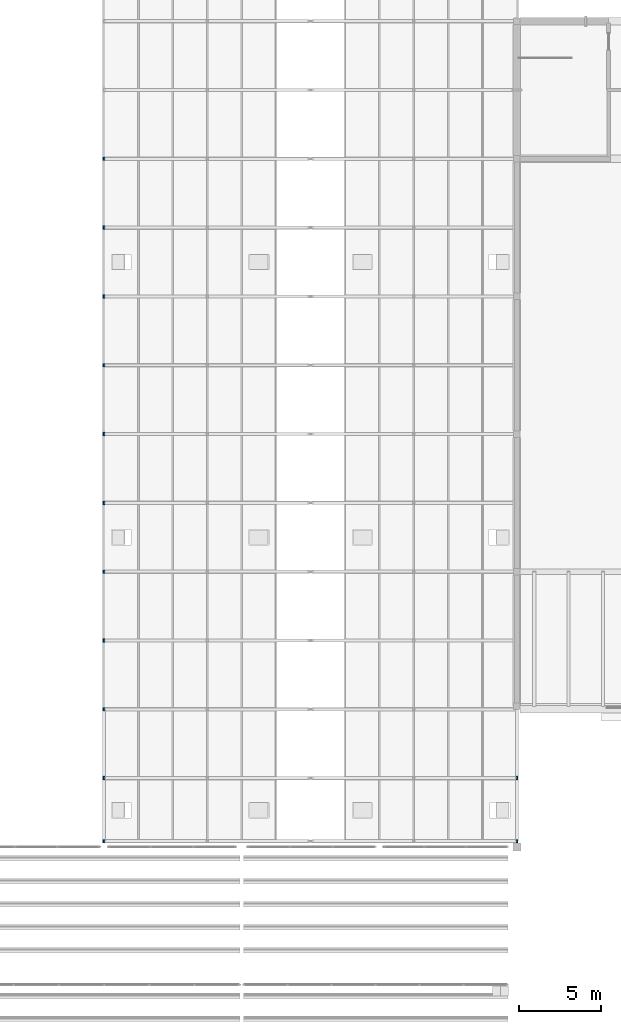
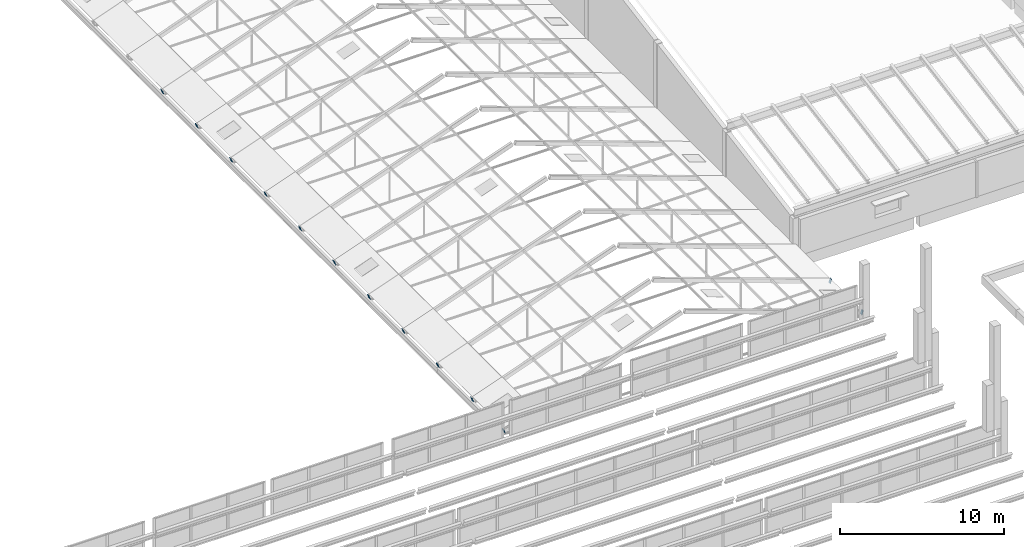
# One storey, part 107 of 116: 13 discrete accessories.
"""IFC4 building model written with IfcOpenShell, lengths in metres."""

from ifc_helpers import new_model, si_unit, direction, frame, origin, origin_2d, place, context, subcontext, project, spatial, rectangle, extrude, material, material_profile, profile_set, type_object, element, save


model = new_model("IFC4")

# Units and contexts
model_context = context("Model", 3, precision=1e-05, world=origin(), true_north=direction((0.0, 1.0)))
body_context = subcontext(model_context, "Body", "Model", "MODEL_VIEW")
ifc_project = project(units=[si_unit("LENGTHUNIT", "METRE"), si_unit("AREAUNIT", "SQUARE_METRE"), si_unit("VOLUMEUNIT", "CUBIC_METRE"), si_unit("PLANEANGLEUNIT", "RADIAN"), si_unit("MASSUNIT", "GRAM", prefix="KILO")], contexts=[model_context])

# Site, building, storey
site_placement = place(None, origin())
site = spatial("IfcSite", under=ifc_project, at=site_placement, CompositionType="ELEMENT")
building_placement = place(site_placement, origin())
building = spatial("IfcBuilding", under=site, at=building_placement, Name="Fescue Hill Polytechnic", CompositionType="ELEMENT")
storey_placement = place(building_placement, frame((0.0, 0.0, 13.5)))
storey = spatial("IfcBuildingStorey", under=building, at=storey_placement, Name="L03", CompositionType="ELEMENT", Elevation=13.5)

# Discrete accessories
ifc_material = material(Name="Steel 350W (350 MPa)", Category="steel")
ifc_material_profile = material_profile(ifc_material, rectangle(XDim=0.203125, YDim=0.3046875, at=origin_2d()), Name="Winter garden rafter end plate 12")
ifc_profile_set = profile_set([ifc_material_profile], Name="Steel 350W (350 MPa)")
discrete_accessory_type = type_object("IfcDiscreteAccessoryType", Name="Winter garden rafter end plate 12", PredefinedType="BRACKET", material=ifc_profile_set)
for number, where, z_axis, x_axis, name in (
    (1, (92.388671875, 50.75, 0.57470703125), (0.937994498829, 0.0, 0.346650140872), (0.0, 1.0, 0.0), "Winter garden rafter W1 eaves end plate"),
    (2, (117.611328125, 50.75, 0.57470703125), (-0.937994498829, 0.0, 0.346650140872), (0.0, -1.0, 0.0), "Winter garden rafter E1 eaves end plate"),
    (3, (92.388671875, 54.60009765625, 0.57470703125), (0.937994498829, 0.0, 0.346650140872), (0.0, 1.0, 0.0), "Winter garden rafter W2 eaves end plate"),
    (4, (117.611328125, 54.60009765625, 0.57470703125), (-0.937994498829, 0.0, 0.346650140872), (0.0, -1.0, 0.0), "Winter garden rafter E2 eaves end plate"),
    (5, (92.388671875, 58.800048828125, 0.57470703125), (0.937994498829, 0.0, 0.346650140872), (0.0, 1.0, 0.0), "Winter garden rafter W3 eaves end plate"),
    (6, (92.388671875, 63.0, 0.57470703125), (0.937994498829, 0.0, 0.346650140872), (0.0, 1.0, 0.0), "Winter garden rafter W4 eaves end plate"),
    (7, (92.388671875, 67.199951171875, 0.57470703125), (0.937994498829, 0.0, 0.346650140872), (0.0, 1.0, 0.0), "Winter garden rafter W5 eaves end plate"),
    (8, (92.388671875, 71.39990234375, 0.57470703125), (0.937994498829, 0.0, 0.346650140872), (0.0, 1.0, 0.0), "Winter garden rafter W6 eaves end plate"),
    (9, (92.388671875, 75.60009765625, 0.57470703125), (0.937994498829, 0.0, 0.346650140872), (0.0, 1.0, 0.0), "Winter garden rafter W7 eaves end plate"),
    (10, (92.388671875, 79.800048828125, 0.57470703125), (0.937994498829, 0.0, 0.346650140872), (0.0, 1.0, 0.0), "Winter garden rafter W8 eaves end plate"),
    (11, (92.388671875, 84.0, 0.57470703125), (0.937994498829, 0.0, 0.346650140872), (0.0, 1.0, 0.0), "Winter garden rafter W9 eaves end plate"),
    (12, (92.388671875, 88.199951171875, 0.57470703125), (0.937994498829, 0.0, 0.346650140872), (0.0, 1.0, 0.0), "Winter garden rafter W10 eaves end plate"),
    (13, (92.388671875, 92.39990234375, 0.57470703125), (0.937994498829, 0.0, 0.346650140872), (0.0, 1.0, 0.0), "Winter garden rafter W11 eaves end plate"),
):
    element("IfcDiscreteAccessory", number, at=place(storey_placement, frame(where, z_axis=z_axis, x_axis=x_axis)), inside=storey, type_object=discrete_accessory_type, Name=name, PredefinedType="BRACKET", context=body_context, shape_type="SweptSolid", body=[
        extrude(rectangle(XDim=0.203125, YDim=0.3046875, at=origin_2d()), origin(), (0.0, 0.0, 1.0), 0.011962890625),
    ])

save(model, "model.ifc")
